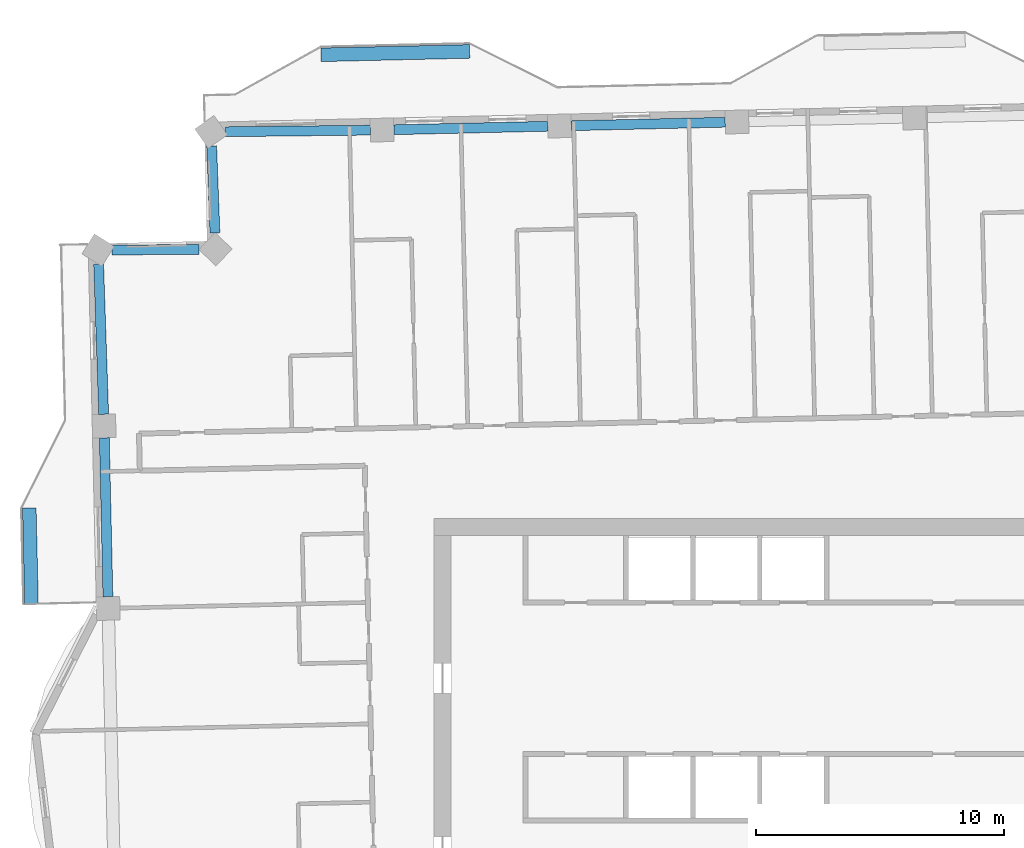
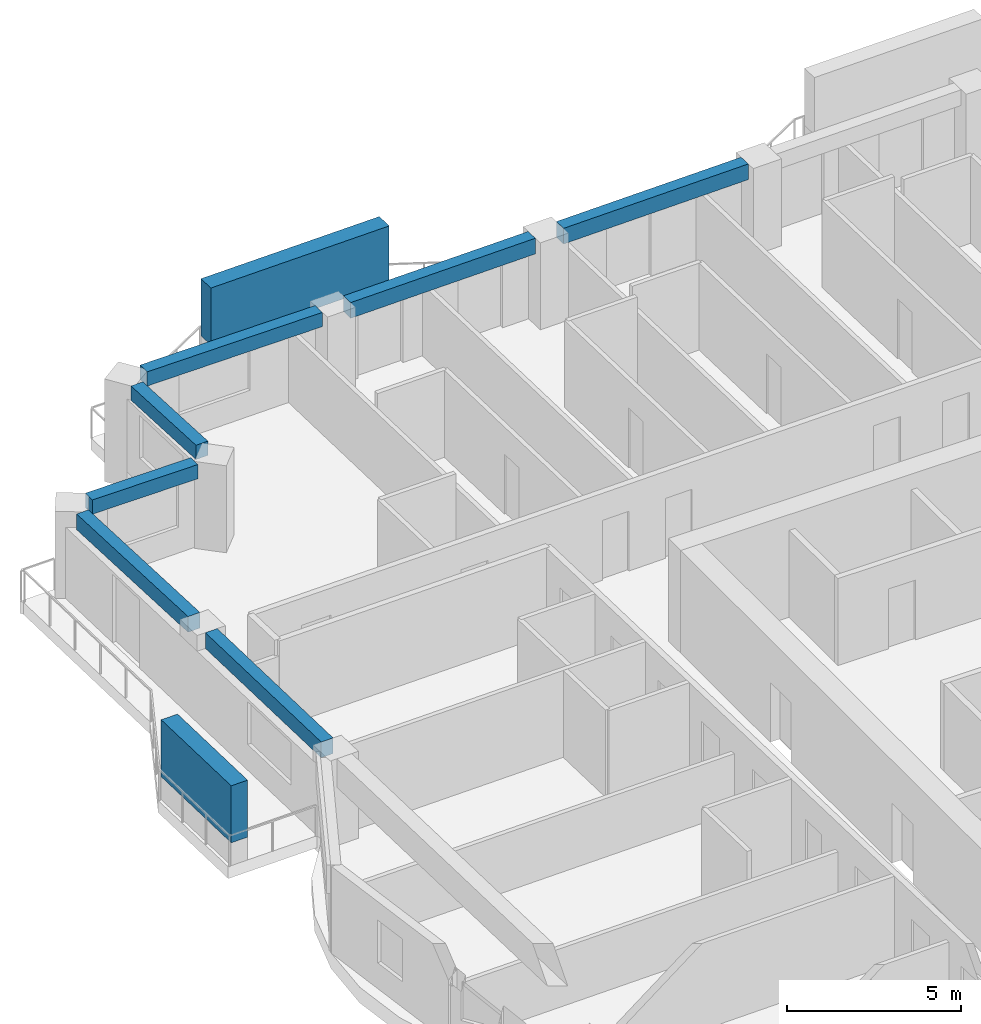
# One storey, part 3 of 20: 7 beams, 2 members.
"""IFC4 building model written with IfcOpenShell, lengths in metres."""

from ifc_helpers import new_model, si_unit, direction, frame, origin, origin_2d, place, context, subcontext, project, spatial, rectangle, extrude, material, material_profile, profile_set, type_object, element, save


model = new_model("IFC4")

# Units and contexts
model_context = context("Model", 3, precision=1e-05, world=origin(), true_north=direction((0.0, 1.0)))
body_context = subcontext(model_context, "Body", "Model", "MODEL_VIEW")
ifc_project = project(units=[si_unit("LENGTHUNIT", "METRE"), si_unit("AREAUNIT", "SQUARE_METRE"), si_unit("VOLUMEUNIT", "CUBIC_METRE"), si_unit("PLANEANGLEUNIT", "RADIAN"), si_unit("MASSUNIT", "GRAM", prefix="KILO")], contexts=[model_context])

# Site, building, storey
site_placement = place(None, origin())
site = spatial("IfcSite", under=ifc_project, at=site_placement, CompositionType="ELEMENT")
building_placement = place(site_placement, origin())
building = spatial("IfcBuilding", under=site, at=building_placement, Name="Mangrove Gate Tower", CompositionType="ELEMENT")
storey_placement = place(building_placement, frame((0.0, 0.0, 279.89990234375)))
storey = spatial("IfcBuildingStorey", under=building, at=storey_placement, Name="L71", CompositionType="ELEMENT", Elevation=279.89990234375)

# Members
ifc_material_1 = material(Name="Planting on aluminium trellis", Category="aluminium")
ifc_material_profile_1 = material_profile(ifc_material_1, rectangle(XDim=0.550048828125, YDim=2.0, at=origin_2d()))
ifc_profile_set_1 = profile_set([ifc_material_profile_1], Name="Planting on aluminium trellis")
member_type = type_object("IfcMemberType", Name="Balcony greenery screen 550x2000", PredefinedType="USERDEFINED", material=ifc_profile_set_1)
member_1_placement = place(storey_placement, frame((-19.052978515625, 30.2041015625, 1.800048828125), z_axis=(0.999743094499, 0.022665943652, 0.0), x_axis=(-0.022665943652, 0.999743094499, 0.0)))
element("IfcMember", 1, at=member_1_placement, inside=storey, type_object=member_type, Name="GREEN SCREEN L71 N1.1", ObjectType="PLANTING", PredefinedType="USERDEFINED", context=body_context, shape_type="SweptSolid", body=[
    extrude(rectangle(XDim=0.550048828125, YDim=2.0, at=origin_2d()), origin(), (0.0, 0.0, 1.0), 5.99951171875),
])
member_2_placement = place(storey_placement, frame((-30.736083984375, 8.04296875, 1.800048828125), z_axis=(-0.022681332769, 0.999742745482, 0.0), x_axis=(-0.999742745482, -0.022681332769, 0.0)))
element("IfcMember", 2, at=member_2_placement, inside=storey, type_object=member_type, Name="GREEN SCREEN L71 W0.1", ObjectType="PLANTING", PredefinedType="USERDEFINED", context=body_context, shape_type="SweptSolid", body=[
    extrude(rectangle(XDim=0.550048828125, YDim=2.0, at=origin_2d()), origin(), (0.0, 0.0, 1.0), 3.875),
])

# Beams
ifc_material_2 = material(Name="Concrete C50/60", Category="concrete")
ifc_material_profile_2 = material_profile(ifc_material_2, rectangle(XDim=0.39990234375, YDim=0.5, at=origin_2d()))
ifc_profile_set_2 = profile_set([ifc_material_profile_2], Name="Concrete C50/60")
beam_type_1 = type_object("IfcBeamType", Name="Edge beam RC 400x500 C50/60", PredefinedType="BEAM", material=ifc_profile_set_2)
beam_1_placement = place(storey_placement, frame((-17.064208984375, 27.163818359375, 2.800048828125), z_axis=(-0.999938328847, -0.011105786867, 0.0), x_axis=(0.011105786867, -0.999938328847, 0.0)))
element("IfcBeam", 3, at=beam_1_placement, inside=storey, type_object=beam_type_1, Name="Edge beam L71 28", PredefinedType="BEAM", context=body_context, shape_type="SweptSolid", body=[
    extrude(rectangle(XDim=0.39990234375, YDim=0.5, at=origin_2d()), origin(), (0.0, 0.0, 1.0), 5.847412109375),
])
beam_2_placement = place(storey_placement, frame((-23.46630859375, 26.52685546875, 2.800048828125), z_axis=(0.037803278798, -0.999285200587, 0.0), x_axis=(0.999285200587, 0.037803278798, 0.0)))
element("IfcBeam", 4, at=beam_2_placement, inside=storey, type_object=beam_type_1, Name="Edge beam L71 29", PredefinedType="BEAM", context=body_context, shape_type="SweptSolid", body=[
    extrude(rectangle(XDim=0.39990234375, YDim=0.5, at=origin_2d()), origin(), (0.0, 0.0, 1.0), 3.51318359375),
])
beam_3_placement = place(storey_placement, frame((-23.9697265625, 22.3505859375, 2.800048828125), z_axis=(-0.999978236017, -0.006597536803, 0.0), x_axis=(0.006597536803, -0.999978236017, 0.0)))
element("IfcBeam", 5, at=beam_3_placement, inside=storey, type_object=beam_type_1, Name="Edge beam L71 30", PredefinedType="BEAM", context=body_context, shape_type="SweptSolid", body=[
    extrude(rectangle(XDim=0.39990234375, YDim=0.5, at=origin_2d()), origin(), (0.0, 0.0, 1.0), 3.515380859375),
])
ifc_material_3 = material(Name="Concrete C50/60", Category="concrete")
ifc_material_profile_3 = material_profile(ifc_material_3, rectangle(XDim=0.39990234375, YDim=0.550048828125, at=origin_2d()))
ifc_profile_set_3 = profile_set([ifc_material_profile_3], Name="Concrete C50/60")
beam_type_2 = type_object("IfcBeamType", Name="Edge beam RC 400x550 C50/60", PredefinedType="BEAM", material=ifc_profile_set_3)
beam_4_placement = place(storey_placement, frame((-2.7431640625, 27.4833984375, 2.775146484375), z_axis=(-0.999741125002, -0.022752647749, 0.0), x_axis=(0.022752647749, -0.999741125002, 0.0)))
element("IfcBeam", 6, at=beam_4_placement, inside=storey, type_object=beam_type_2, Name="Edge beam L71 26", PredefinedType="BEAM", context=body_context, shape_type="SweptSolid", body=[
    extrude(rectangle(XDim=0.39990234375, YDim=0.550048828125, at=origin_2d()), origin(), (0.0, 0.0, 1.0), 6.212890625),
])
beam_5_placement = place(storey_placement, frame((-9.904052734375, 27.3203125, 2.775146484375), z_axis=(-0.999744607867, -0.022599093821, 0.0), x_axis=(0.022599093821, -0.999744607867, 0.0)))
element("IfcBeam", 7, at=beam_5_placement, inside=storey, type_object=beam_type_2, Name="Edge beam L71 27", PredefinedType="BEAM", context=body_context, shape_type="SweptSolid", body=[
    extrude(rectangle(XDim=0.39990234375, YDim=0.550048828125, at=origin_2d()), origin(), (0.0, 0.0, 1.0), 6.211669921875),
])
beam_6_placement = place(storey_placement, frame((-28.027099609375, 21.7529296875, 2.775146484375), z_axis=(0.033530874291, -0.999437682134, 0.0), x_axis=(0.999437682134, 0.033530874291, 0.0)))
element("IfcBeam", 8, at=beam_6_placement, inside=storey, type_object=beam_type_2, Name="Edge beam L71 31", PredefinedType="BEAM", context=body_context, shape_type="SweptSolid", body=[
    extrude(rectangle(XDim=0.39990234375, YDim=0.550048828125, at=origin_2d()), origin(), (0.0, 0.0, 1.0), 6.057861328125),
])
beam_7_placement = place(storey_placement, frame((-27.79736328125, 14.748779296875, 2.775146484375), z_axis=(0.022693727478, -0.999742464204, 0.0), x_axis=(0.999742464204, 0.022693727478, 0.0)))
element("IfcBeam", 9, at=beam_7_placement, inside=storey, type_object=beam_type_2, Name="Edge beam L71 32", PredefinedType="BEAM", context=body_context, shape_type="SweptSolid", body=[
    extrude(rectangle(XDim=0.39990234375, YDim=0.550048828125, at=origin_2d()), origin(), (0.0, 0.0, 1.0), 6.411865234375),
])

save(model, "model.ifc")
